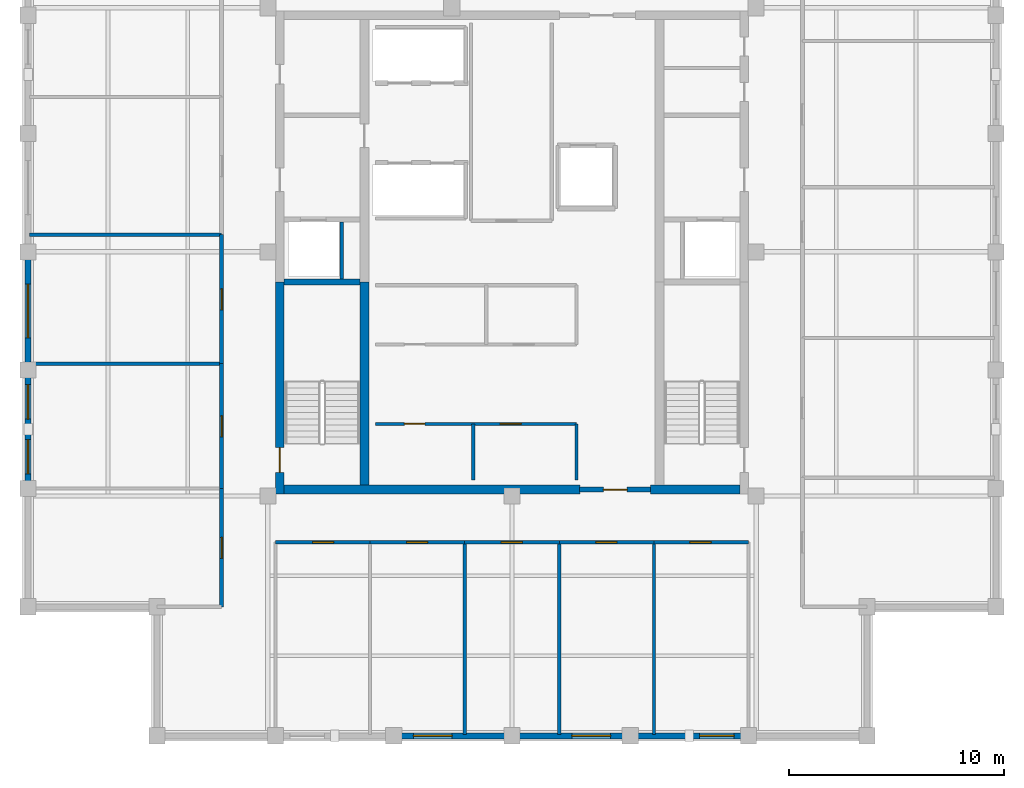
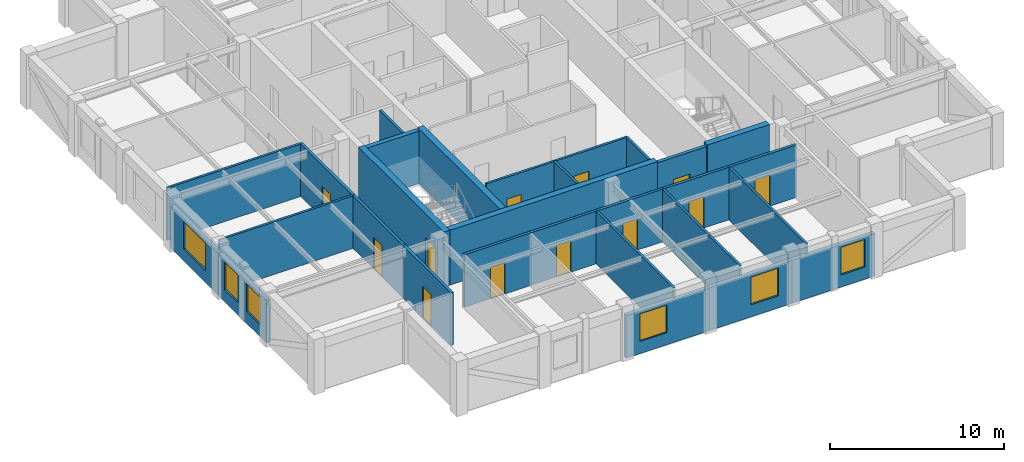
# One storey, part 2 of 6: 28 walls, 12 doors, 6 windows, 18 openings.
"""IFC4 building model written with IfcOpenShell, lengths in metres."""

from ifc_helpers import new_model, si_unit, direction, frame, frame_2d, origin, place, context, subcontext, project, spatial, rectangle, extrude, material, layer, layer_set, type_object, element, fill, save


model = new_model("IFC4")

# Units and contexts
model_context = context("Model", 3, precision=1e-05, world=origin(), true_north=direction((0.0, 1.0)))
body_context = subcontext(model_context, "Body", "Model", "MODEL_VIEW")
ifc_project = project(units=[si_unit("LENGTHUNIT", "METRE"), si_unit("AREAUNIT", "SQUARE_METRE"), si_unit("VOLUMEUNIT", "CUBIC_METRE"), si_unit("PLANEANGLEUNIT", "RADIAN"), si_unit("MASSUNIT", "GRAM", prefix="KILO")], contexts=[model_context])

# Site, building, storey
site_placement = place(None, origin())
site = spatial("IfcSite", under=ifc_project, at=site_placement, CompositionType="ELEMENT")
building_placement = place(site_placement, origin())
building = spatial("IfcBuilding", under=site, at=building_placement, Name="Nhamokura Convention Tower", CompositionType="ELEMENT")
storey_placement = place(building_placement, frame((0.0, 0.0, 289.10009765625)))
storey = spatial("IfcBuildingStorey", under=building, at=storey_placement, Name="L71", CompositionType="ELEMENT", Elevation=289.10009765625)

# Wall, opening, window
ifc_material_1 = material(Name="Bronze-pigmented precast concrete C45/55", Category="concrete")
ifc_layer_1 = layer(ifc_material_1, 0.280029296875)
ifc_layer_set_1 = layer_set([ifc_layer_1], Name="BronzePrecastSpandrel_280")
wall_type_1 = type_object("IfcWallType", Name="BronzePrecastSpandrel_280", PredefinedType="USERDEFINED", material=ifc_layer_set_1)
wall_1_placement = place(storey_placement, frame((32.0, 9.5, 0.0), z_axis=(0.0, 0.0, 1.0), x_axis=(-1.0, 0.0, 0.0)))
wall_1 = element("IfcWall", 1, at=wall_1_placement, inside=storey, type_object=wall_type_1, Name="L71 Masonry-Frame Wall SOUTH 2", ObjectType="SPANDREL_WALL", PredefinedType="USERDEFINED", context=body_context, shape_type="SweptSolid", body=[
    extrude(rectangle(XDim=5.5, YDim=0.280029296875, at=frame_2d((2.75, 0.0))), origin(), (0.0, 0.0, 1.0), 2.98486328125),
])
opening_1_placement = place(wall_1_placement, frame((2.78759765625, 0.0, 0.85009765625)))
opening_1 = element("IfcOpeningElement", 2, at=opening_1_placement, cuts=wall_1, Name="Opening W-10", PredefinedType="OPENING", context=body_context, shape_type="SweptSolid", body=[
    extrude(rectangle(XDim=1.800048828125, YDim=1.93505859375, at=frame_2d((0.89990234375, 0.967529296875))), frame((0.0, 0.14990234375, 0.0), z_axis=(0.0, -1.0, 0.0), x_axis=(1.0, 0.0, 0.0)), (0.0, 0.0, 1.0), 0.300048828125),
])
ifc_material_2 = material(Name="Solar-control bronze low-E double glass", Category="glass")
window_type_1 = type_object("IfcWindowType", Name="SummitWindow_Z4_1800", PartitioningType="SINGLE_PANEL", PredefinedType="WINDOW", material=ifc_material_2)
window_1_placement = place(opening_1_placement, origin())
window_1 = element("IfcWindow", 3, at=window_1_placement, inside=storey, type_object=window_type_1, Name="L71 Facade Window SOUTH 2-2", OverallHeight=1.93505859375, OverallWidth=1.800048828125, PartitioningType="SINGLE_PANEL", PredefinedType="WINDOW", context=body_context, shape_type="SweptSolid", body=[
    extrude(rectangle(XDim=1.800048828125, YDim=1.93505859375, at=frame_2d((0.89990234375, 0.967529296875))), frame((0.0, 0.030029296875, 0.0), z_axis=(0.0, -1.0, 0.0), x_axis=(1.0, 0.0, 0.0)), (0.0, 0.0, 1.0), 0.06005859375),
])
fill(opening_1, window_1)

wall_2_placement = place(storey_placement, frame((37.5, 9.5, 0.0), z_axis=(0.0, 0.0, 1.0), x_axis=(-1.0, 0.0, 0.0)))
wall_2 = element("IfcWall", 4, at=wall_2_placement, inside=storey, type_object=wall_type_1, Name="L71 Masonry-Frame Wall SOUTH 3", ObjectType="SPANDREL_WALL", PredefinedType="USERDEFINED", context=body_context, shape_type="SweptSolid", body=[
    extrude(rectangle(XDim=5.5, YDim=0.280029296875, at=frame_2d((2.75, 0.0))), origin(), (0.0, 0.0, 1.0), 2.98486328125),
])
opening_2_placement = place(wall_2_placement, frame((0.91259765625, 0.0, 0.85009765625)))
opening_2 = element("IfcOpeningElement", 5, at=opening_2_placement, cuts=wall_2, Name="Opening W-10", PredefinedType="OPENING", context=body_context, shape_type="SweptSolid", body=[
    extrude(rectangle(XDim=1.800048828125, YDim=1.93505859375, at=frame_2d((0.89990234375, 0.967529296875))), frame((0.0, 0.14990234375, 0.0), z_axis=(0.0, -1.0, 0.0), x_axis=(1.0, 0.0, 0.0)), (0.0, 0.0, 1.0), 0.300048828125),
])
window_2_placement = place(opening_2_placement, origin())
window_2 = element("IfcWindow", 6, at=window_2_placement, inside=storey, type_object=window_type_1, Name="L71 Facade Window SOUTH 3-1", OverallHeight=1.93505859375, OverallWidth=1.800048828125, PartitioningType="SINGLE_PANEL", PredefinedType="WINDOW", context=body_context, shape_type="SweptSolid", body=[
    extrude(rectangle(XDim=1.800048828125, YDim=1.93505859375, at=frame_2d((0.89990234375, 0.967529296875))), frame((0.0, 0.030029296875, 0.0), z_axis=(0.0, -1.0, 0.0), x_axis=(1.0, 0.0, 0.0)), (0.0, 0.0, 1.0), 0.06005859375),
])
fill(opening_2, window_2)

wall_3_placement = place(storey_placement, frame((43.0, 9.5, 0.0), z_axis=(0.0, 0.0, 1.0), x_axis=(-1.0, 0.0, 0.0)))
wall_3 = element("IfcWall", 7, at=wall_3_placement, inside=storey, type_object=wall_type_1, Name="L71 Masonry-Frame Wall SOUTH 4", ObjectType="SPANDREL_WALL", PredefinedType="USERDEFINED", context=body_context, shape_type="SweptSolid", body=[
    extrude(rectangle(XDim=5.5, YDim=0.280029296875, at=frame_2d((2.75, 0.0))), origin(), (0.0, 0.0, 1.0), 2.98486328125),
])
opening_3_placement = place(wall_3_placement, frame((0.675048828125, 0.0, 0.85009765625)))
opening_3 = element("IfcOpeningElement", 8, at=opening_3_placement, cuts=wall_3, Name="Opening W-11", PredefinedType="OPENING", context=body_context, shape_type="SweptSolid", body=[
    extrude(rectangle(XDim=1.60009765625, YDim=1.93505859375, at=frame_2d((0.800048828125, 0.967529296875))), frame((0.0, 0.14990234375, 0.0), z_axis=(0.0, -1.0, 0.0), x_axis=(1.0, 0.0, 0.0)), (0.0, 0.0, 1.0), 0.300048828125),
])
ifc_material_3 = material(Name="Solar-control bronze low-E double glass", Category="glass")
window_type_2 = type_object("IfcWindowType", Name="NotchCornerWindow_1600", PartitioningType="SINGLE_PANEL", PredefinedType="WINDOW", material=ifc_material_3)
window_3_placement = place(opening_3_placement, origin())
window_3 = element("IfcWindow", 9, at=window_3_placement, inside=storey, type_object=window_type_2, Name="L71 Facade Window SOUTH 4-1", OverallHeight=1.93505859375, OverallWidth=1.60009765625, PartitioningType="SINGLE_PANEL", PredefinedType="WINDOW", context=body_context, shape_type="SweptSolid", body=[
    extrude(rectangle(XDim=1.60009765625, YDim=1.93505859375, at=frame_2d((0.800048828125, 0.967529296875))), frame((0.0, 0.030029296875, 0.0), z_axis=(0.0, -1.0, 0.0), x_axis=(1.0, 0.0, 0.0)), (0.0, 0.0, 1.0), 0.06005859375),
])
fill(opening_3, window_3)

# Wall, openings, windows
wall_4_placement = place(storey_placement, frame((9.5, 21.0, 0.0), z_axis=(0.0, 0.0, 1.0), x_axis=(0.0, 1.0, 0.0)))
wall_4 = element("IfcWall", 10, at=wall_4_placement, inside=storey, type_object=wall_type_1, Name="L71 Masonry-Frame Wall WEST 1", ObjectType="SPANDREL_WALL", PredefinedType="USERDEFINED", context=body_context, shape_type="SweptSolid", body=[
    extrude(rectangle(XDim=5.5, YDim=0.280029296875, at=frame_2d((2.75, 0.0))), origin(), (0.0, 0.0, 1.0), 2.98486328125),
])
opening_4_placement = place(wall_4_placement, frame((0.675048828125, 0.0, 0.85009765625)))
opening_4 = element("IfcOpeningElement", 11, at=opening_4_placement, cuts=wall_4, Name="Opening W-11", PredefinedType="OPENING", context=body_context, shape_type="SweptSolid", body=[
    extrude(rectangle(XDim=1.60009765625, YDim=1.93505859375, at=frame_2d((0.800048828125, 0.967529296875))), frame((0.0, 0.14990234375, 0.0), z_axis=(0.0, -1.0, 0.0), x_axis=(1.0, 0.0, 0.0)), (0.0, 0.0, 1.0), 0.300048828125),
])
opening_5_placement = place(wall_4_placement, frame((3.22509765625, 0.0, 0.85009765625)))
opening_5 = element("IfcOpeningElement", 12, at=opening_5_placement, cuts=wall_4, Name="Opening W-11", PredefinedType="OPENING", context=body_context, shape_type="SweptSolid", body=[
    extrude(rectangle(XDim=1.60009765625, YDim=1.93505859375, at=frame_2d((0.800048828125, 0.967529296875))), frame((0.0, 0.14990234375, 0.0), z_axis=(0.0, -1.0, 0.0), x_axis=(1.0, 0.0, 0.0)), (0.0, 0.0, 1.0), 0.300048828125),
])
window_4_placement = place(opening_4_placement, origin())
window_4 = element("IfcWindow", 13, at=window_4_placement, inside=storey, type_object=window_type_2, Name="L71 Facade Window WEST 1-1", OverallHeight=1.93505859375, OverallWidth=1.60009765625, PartitioningType="SINGLE_PANEL", PredefinedType="WINDOW", context=body_context, shape_type="SweptSolid", body=[
    extrude(rectangle(XDim=1.60009765625, YDim=1.93505859375, at=frame_2d((0.800048828125, 0.967529296875))), frame((0.0, 0.030029296875, 0.0), z_axis=(0.0, -1.0, 0.0), x_axis=(1.0, 0.0, 0.0)), (0.0, 0.0, 1.0), 0.06005859375),
])
fill(opening_4, window_4)
window_5_placement = place(opening_5_placement, origin())
window_5 = element("IfcWindow", 14, at=window_5_placement, inside=storey, type_object=window_type_2, Name="L71 Facade Window WEST 1-2", OverallHeight=1.93505859375, OverallWidth=1.60009765625, PartitioningType="SINGLE_PANEL", PredefinedType="WINDOW", context=body_context, shape_type="SweptSolid", body=[
    extrude(rectangle(XDim=1.60009765625, YDim=1.93505859375, at=frame_2d((0.800048828125, 0.967529296875))), frame((0.0, 0.030029296875, 0.0), z_axis=(0.0, -1.0, 0.0), x_axis=(1.0, 0.0, 0.0)), (0.0, 0.0, 1.0), 0.06005859375),
])
fill(opening_5, window_5)

# Wall, opening, window
wall_5_placement = place(storey_placement, frame((9.5, 26.5, 0.0), z_axis=(0.0, 0.0, 1.0), x_axis=(0.0, 1.0, 0.0)))
wall_5 = element("IfcWall", 15, at=wall_5_placement, inside=storey, type_object=wall_type_1, Name="L71 Masonry-Frame Wall WEST 2", ObjectType="SPANDREL_WALL", PredefinedType="USERDEFINED", context=body_context, shape_type="SweptSolid", body=[
    extrude(rectangle(XDim=5.5, YDim=0.280029296875, at=frame_2d((2.75, 0.0))), origin(), (0.0, 0.0, 1.0), 2.98486328125),
])
opening_6_placement = place(wall_5_placement, frame((1.5, 0.0, 0.85009765625)))
opening_6 = element("IfcOpeningElement", 16, at=opening_6_placement, cuts=wall_5, Name="Opening W-09", PredefinedType="OPENING", context=body_context, shape_type="SweptSolid", body=[
    extrude(rectangle(XDim=2.5, YDim=1.93505859375, at=frame_2d((1.25, 0.967529296875))), frame((0.0, 0.14990234375, 0.0), z_axis=(0.0, -1.0, 0.0), x_axis=(1.0, 0.0, 0.0)), (0.0, 0.0, 1.0), 0.300048828125),
])
ifc_material_4 = material(Name="Solar-control bronze low-E double glass", Category="glass")
window_type_3 = type_object("IfcWindowType", Name="SummitWindow_Z4_2500", PartitioningType="DOUBLE_PANEL_VERTICAL", PredefinedType="WINDOW", material=ifc_material_4)
window_6_placement = place(opening_6_placement, origin())
window_6 = element("IfcWindow", 17, at=window_6_placement, inside=storey, type_object=window_type_3, Name="L71 Facade Window WEST 2", OverallHeight=1.93505859375, OverallWidth=2.5, PartitioningType="SINGLE_PANEL", PredefinedType="WINDOW", context=body_context, shape_type="SweptSolid", body=[
    extrude(rectangle(XDim=2.5, YDim=1.93505859375, at=frame_2d((1.25, 0.967529296875))), frame((0.0, 0.030029296875, 0.0), z_axis=(0.0, -1.0, 0.0), x_axis=(1.0, 0.0, 0.0)), (0.0, 0.0, 1.0), 0.06005859375),
])
fill(opening_6, window_6)

# Wall, opening, door
ifc_material_5 = material(Name="Concrete C50/60", Category="concrete")
ifc_layer_2 = layer(ifc_material_5, 0.39990234375)
ifc_layer_set_2 = layer_set([ifc_layer_2], Name="CoreShearWall_400")
wall_type_2 = type_object("IfcWallType", Name="CoreShearWall_400", PredefinedType="SHEAR", material=ifc_layer_set_2)
wall_6_placement = place(storey_placement, frame((21.2099609375, 20.75, 0.0), z_axis=(0.0, 0.0, 1.0), x_axis=(0.0, 1.0, 0.0)))
wall_6 = element("IfcWall", 18, at=wall_6_placement, inside=storey, type_object=wall_type_2, Name="L71 Core Shear Wall CW-WS", PredefinedType="SHEAR", context=body_context, shape_type="SweptSolid", body=[
    extrude(rectangle(XDim=9.85009765625, YDim=0.39990234375, at=frame_2d((4.925048828125, 0.0))), origin(), (0.0, 0.0, 1.0), 3.849853515625),
])
opening_7_placement = place(wall_6_placement, frame((1.0, 0.0, 0.0)))
opening_7 = element("IfcOpeningElement", 19, at=opening_7_placement, cuts=wall_6, Name="Opening D-04", PredefinedType="OPENING", context=body_context, shape_type="SweptSolid", body=[
    extrude(rectangle(XDim=1.14990234375, YDim=2.14990234375, at=frame_2d((0.574951171875, 1.074951171875))), frame((0.0, 0.2099609375, 0.0), z_axis=(0.0, -1.0, 0.0), x_axis=(1.0, 0.0, 0.0)), (0.0, 0.0, 1.0), 0.419921875),
])
ifc_material_6 = material(Name="Fire-rated steel door", Category="steel")
door_type_1 = type_object("IfcDoorType", Name="StairSmokeDoor_1150", OperationType="NOTDEFINED", PredefinedType="DOOR", material=ifc_material_6)
door_1_placement = place(opening_7_placement, origin())
door_1 = element("IfcDoor", 20, at=door_1_placement, inside=storey, type_object=door_type_1, Name="L71 Core Door INT-L71-D-ST01", OperationType="SINGLE_SWING_LEFT", OverallHeight=2.14990234375, OverallWidth=1.14990234375, PredefinedType="DOOR", context=body_context, shape_type="SweptSolid", body=[
    extrude(rectangle(XDim=1.14990234375, YDim=2.14990234375, at=frame_2d((0.574951171875, 1.074951171875))), frame((0.0, 0.02490234375, 0.0), z_axis=(0.0, -1.0, 0.0), x_axis=(1.0, 0.0, 0.0)), (0.0, 0.0, 1.0), 0.050048828125),
])
fill(opening_7, door_1)

# Walls
wall_7_placement = place(storey_placement, frame((21.409912109375, 20.949951171875, 0.0), z_axis=(0.0, 0.0, 1.0), x_axis=(1.0, 0.0, 0.0)))
element("IfcWall", 21, at=wall_7_placement, inside=storey, type_object=wall_type_2, Name="L71 Core Shear Wall CW-S1", PredefinedType="SHEAR", context=body_context, shape_type="SweptSolid", body=[
    extrude(rectangle(XDim=13.739990234375, YDim=0.39990234375, at=frame_2d((6.8701171875, 0.0))), origin(), (0.0, 0.0, 1.0), 3.849853515625),
])
wall_8_placement = place(storey_placement, frame((38.449951171875, 20.949951171875, 0.0), z_axis=(0.0, 0.0, 1.0), x_axis=(1.0, 0.0, 0.0)))
element("IfcWall", 22, at=wall_8_placement, inside=storey, type_object=wall_type_2, Name="L71 Core Shear Wall CW-S2", PredefinedType="SHEAR", context=body_context, shape_type="SweptSolid", body=[
    extrude(rectangle(XDim=4.14013671875, YDim=0.39990234375, at=frame_2d((2.070068359375, 0.0))), origin(), (0.0, 0.0, 1.0), 3.849853515625),
])
wall_9_placement = place(storey_placement, frame((25.139892578125, 21.14990234375, 0.0), z_axis=(0.0, 0.0, 1.0), x_axis=(0.0, 1.0, 0.0)))
element("IfcWall", 23, at=wall_9_placement, inside=storey, type_object=wall_type_2, Name="L71 Core Shear Wall CW-IWS", PredefinedType="SHEAR", context=body_context, shape_type="SweptSolid", body=[
    extrude(rectangle(XDim=9.4501953125, YDim=0.39990234375, at=frame_2d((4.72509765625, 0.0))), origin(), (0.0, 0.0, 1.0), 3.849853515625),
])

# Wall, opening, door
ifc_material_7 = material(Name="Fire-rated gypsum and masonry partition", Category="masonry")
ifc_layer_3 = layer(ifc_material_7, 0.179931640625)
ifc_layer_set_3 = layer_set([ifc_layer_3], Name="CorridorRatedWall_180")
wall_type_3 = type_object("IfcWallType", Name="CorridorRatedWall_180", PredefinedType="STANDARD", material=ifc_layer_set_3)
wall_10_placement = place(storey_placement, frame((21.0, 18.5, 0.0), z_axis=(0.0, 0.0, 1.0), x_axis=(1.0, 0.0, 0.0)))
wall_10 = element("IfcWall", 24, at=wall_10_placement, inside=storey, type_object=wall_type_3, Name="L71 Wall INT-L71-CW-S00", PredefinedType="STANDARD", context=body_context, shape_type="SweptSolid", body=[
    extrude(rectangle(XDim=4.39990234375, YDim=0.179931640625, at=frame_2d((2.199951171875, 0.0))), origin(), (0.0, 0.0, 1.0), 3.684814453125),
])
opening_8_placement = place(wall_10_placement, frame((1.72509765625, 0.0, 0.0)))
opening_8 = element("IfcOpeningElement", 25, at=opening_8_placement, cuts=wall_10, Name="Opening D-08", PredefinedType="OPENING", context=body_context, shape_type="SweptSolid", body=[
    extrude(rectangle(XDim=0.97998046875, YDim=2.199951171875, at=frame_2d((0.489990234375, 1.10009765625))), frame((0.0, 0.099853515625, 0.0), z_axis=(0.0, -1.0, 0.0), x_axis=(1.0, 0.0, 0.0)), (0.0, 0.0, 1.0), 0.199951171875),
])
ifc_material_8 = material(Name="Solid oak hardwood", Category="wood")
door_type_2 = type_object("IfcDoorType", Name="OfficeEntryDoor_980", OperationType="NOTDEFINED", PredefinedType="DOOR", material=ifc_material_8)
door_2_placement = place(opening_8_placement, origin())
door_2 = element("IfcDoor", 26, at=door_2_placement, inside=storey, type_object=door_type_2, Name="L71 Meeting Room S01 Door", OperationType="SINGLE_SWING_LEFT", OverallHeight=2.199951171875, OverallWidth=0.97998046875, PredefinedType="DOOR", context=body_context, shape_type="SweptSolid", body=[
    extrude(rectangle(XDim=0.97998046875, YDim=2.199951171875, at=frame_2d((0.489990234375, 1.10009765625))), frame((0.0, 0.02490234375, 0.0), z_axis=(0.0, -1.0, 0.0), x_axis=(1.0, 0.0, 0.0)), (0.0, 0.0, 1.0), 0.050048828125),
])
fill(opening_8, door_2)

wall_11_placement = place(storey_placement, frame((25.39990234375, 18.5, 0.0), z_axis=(0.0, 0.0, 1.0), x_axis=(1.0, 0.0, 0.0)))
wall_11 = element("IfcWall", 27, at=wall_11_placement, inside=storey, type_object=wall_type_3, Name="L71 Wall INT-L71-CW-S01", PredefinedType="STANDARD", context=body_context, shape_type="SweptSolid", body=[
    extrude(rectangle(XDim=4.400146484375, YDim=0.179931640625, at=frame_2d((2.2001953125, 0.0))), origin(), (0.0, 0.0, 1.0), 3.684814453125),
])
opening_9_placement = place(wall_11_placement, frame((1.699951171875, 0.0, 0.0)))
opening_9 = element("IfcOpeningElement", 28, at=opening_9_placement, cuts=wall_11, Name="Opening D-08", PredefinedType="OPENING", context=body_context, shape_type="SweptSolid", body=[
    extrude(rectangle(XDim=0.97998046875, YDim=2.199951171875, at=frame_2d((0.489990234375, 1.10009765625))), frame((0.0, 0.099853515625, 0.0), z_axis=(0.0, -1.0, 0.0), x_axis=(1.0, 0.0, 0.0)), (0.0, 0.0, 1.0), 0.199951171875),
])
door_3_placement = place(opening_9_placement, origin())
door_3 = element("IfcDoor", 29, at=door_3_placement, inside=storey, type_object=door_type_2, Name="L71 Private Office S02 Door", OperationType="SINGLE_SWING_RIGHT", OverallHeight=2.199951171875, OverallWidth=0.97998046875, PredefinedType="DOOR", context=body_context, shape_type="SweptSolid", body=[
    extrude(rectangle(XDim=0.97998046875, YDim=2.199951171875, at=frame_2d((0.489990234375, 1.10009765625))), frame((0.0, 0.02490234375, 0.0), z_axis=(0.0, -1.0, 0.0), x_axis=(1.0, 0.0, 0.0)), (0.0, 0.0, 1.0), 0.050048828125),
])
fill(opening_9, door_3)

wall_12_placement = place(storey_placement, frame((29.800048828125, 18.5, 0.0), z_axis=(0.0, 0.0, 1.0), x_axis=(1.0, 0.0, 0.0)))
wall_12 = element("IfcWall", 30, at=wall_12_placement, inside=storey, type_object=wall_type_3, Name="L71 Wall INT-L71-CW-S02", PredefinedType="STANDARD", context=body_context, shape_type="SweptSolid", body=[
    extrude(rectangle(XDim=4.39990234375, YDim=0.179931640625, at=frame_2d((2.199951171875, 0.0))), origin(), (0.0, 0.0, 1.0), 3.684814453125),
])
opening_10_placement = place(wall_12_placement, frame((1.699951171875, 0.0, 0.0)))
opening_10 = element("IfcOpeningElement", 31, at=opening_10_placement, cuts=wall_12, Name="Opening D-08", PredefinedType="OPENING", context=body_context, shape_type="SweptSolid", body=[
    extrude(rectangle(XDim=0.97998046875, YDim=2.199951171875, at=frame_2d((0.489990234375, 1.10009765625))), frame((0.0, 0.099853515625, 0.0), z_axis=(0.0, -1.0, 0.0), x_axis=(1.0, 0.0, 0.0)), (0.0, 0.0, 1.0), 0.199951171875),
])
door_4_placement = place(opening_10_placement, origin())
door_4 = element("IfcDoor", 32, at=door_4_placement, inside=storey, type_object=door_type_2, Name="L71 Boardroom S03 Door", OperationType="SINGLE_SWING_LEFT", OverallHeight=2.199951171875, OverallWidth=0.97998046875, PredefinedType="DOOR", context=body_context, shape_type="SweptSolid", body=[
    extrude(rectangle(XDim=0.97998046875, YDim=2.199951171875, at=frame_2d((0.489990234375, 1.10009765625))), frame((0.0, 0.02490234375, 0.0), z_axis=(0.0, -1.0, 0.0), x_axis=(1.0, 0.0, 0.0)), (0.0, 0.0, 1.0), 0.050048828125),
])
fill(opening_10, door_4)

wall_13_placement = place(storey_placement, frame((34.199951171875, 18.5, 0.0), z_axis=(0.0, 0.0, 1.0), x_axis=(1.0, 0.0, 0.0)))
wall_13 = element("IfcWall", 33, at=wall_13_placement, inside=storey, type_object=wall_type_3, Name="L71 Wall INT-L71-CW-S03", PredefinedType="STANDARD", context=body_context, shape_type="SweptSolid", body=[
    extrude(rectangle(XDim=4.400146484375, YDim=0.179931640625, at=frame_2d((2.2001953125, 0.0))), origin(), (0.0, 0.0, 1.0), 3.684814453125),
])
opening_11_placement = place(wall_13_placement, frame((1.699951171875, 0.0, 0.0)))
opening_11 = element("IfcOpeningElement", 34, at=opening_11_placement, cuts=wall_13, Name="Opening D-08", PredefinedType="OPENING", context=body_context, shape_type="SweptSolid", body=[
    extrude(rectangle(XDim=0.97998046875, YDim=2.199951171875, at=frame_2d((0.489990234375, 1.10009765625))), frame((0.0, 0.099853515625, 0.0), z_axis=(0.0, -1.0, 0.0), x_axis=(1.0, 0.0, 0.0)), (0.0, 0.0, 1.0), 0.199951171875),
])
door_5_placement = place(opening_11_placement, origin())
door_5 = element("IfcDoor", 35, at=door_5_placement, inside=storey, type_object=door_type_2, Name="L71 Meeting Room S04 Door", OperationType="SINGLE_SWING_RIGHT", OverallHeight=2.199951171875, OverallWidth=0.97998046875, PredefinedType="DOOR", context=body_context, shape_type="SweptSolid", body=[
    extrude(rectangle(XDim=0.97998046875, YDim=2.199951171875, at=frame_2d((0.489990234375, 1.10009765625))), frame((0.0, 0.02490234375, 0.0), z_axis=(0.0, -1.0, 0.0), x_axis=(1.0, 0.0, 0.0)), (0.0, 0.0, 1.0), 0.050048828125),
])
fill(opening_11, door_5)

wall_14_placement = place(storey_placement, frame((38.60009765625, 18.5, 0.0), z_axis=(0.0, 0.0, 1.0), x_axis=(1.0, 0.0, 0.0)))
wall_14 = element("IfcWall", 36, at=wall_14_placement, inside=storey, type_object=wall_type_3, Name="L71 Wall INT-L71-CW-S04", PredefinedType="STANDARD", context=body_context, shape_type="SweptSolid", body=[
    extrude(rectangle(XDim=4.39990234375, YDim=0.179931640625, at=frame_2d((2.199951171875, 0.0))), origin(), (0.0, 0.0, 1.0), 3.684814453125),
])
opening_12_placement = place(wall_14_placement, frame((1.675048828125, 0.0, 0.0)))
opening_12 = element("IfcOpeningElement", 37, at=opening_12_placement, cuts=wall_14, Name="Opening D-08", PredefinedType="OPENING", context=body_context, shape_type="SweptSolid", body=[
    extrude(rectangle(XDim=0.97998046875, YDim=2.199951171875, at=frame_2d((0.489990234375, 1.10009765625))), frame((0.0, 0.099853515625, 0.0), z_axis=(0.0, -1.0, 0.0), x_axis=(1.0, 0.0, 0.0)), (0.0, 0.0, 1.0), 0.199951171875),
])
door_6_placement = place(opening_12_placement, origin())
door_6 = element("IfcDoor", 38, at=door_6_placement, inside=storey, type_object=door_type_2, Name="L71 Private Office S05 Door", OperationType="SINGLE_SWING_LEFT", OverallHeight=2.199951171875, OverallWidth=0.97998046875, PredefinedType="DOOR", context=body_context, shape_type="SweptSolid", body=[
    extrude(rectangle(XDim=0.97998046875, YDim=2.199951171875, at=frame_2d((0.489990234375, 1.10009765625))), frame((0.0, 0.02490234375, 0.0), z_axis=(0.0, -1.0, 0.0), x_axis=(1.0, 0.0, 0.0)), (0.0, 0.0, 1.0), 0.050048828125),
])
fill(opening_12, door_6)

wall_15_placement = place(storey_placement, frame((18.5, 15.5, 0.0), z_axis=(0.0, 0.0, 1.0), x_axis=(0.0, 1.0, 0.0)))
wall_15 = element("IfcWall", 39, at=wall_15_placement, inside=storey, type_object=wall_type_3, Name="L71 Wall INT-L71-CW-W00", PredefinedType="STANDARD", context=body_context, shape_type="SweptSolid", body=[
    extrude(rectangle(XDim=5.5, YDim=0.179931640625, at=frame_2d((2.75, 0.0))), origin(), (0.0, 0.0, 1.0), 3.684814453125),
])
opening_13_placement = place(wall_15_placement, frame((2.25, 0.0, 0.0)))
opening_13 = element("IfcOpeningElement", 40, at=opening_13_placement, cuts=wall_15, Name="Opening D-08", PredefinedType="OPENING", context=body_context, shape_type="SweptSolid", body=[
    extrude(rectangle(XDim=0.97998046875, YDim=2.199951171875, at=frame_2d((0.489990234375, 1.10009765625))), frame((0.0, 0.099853515625, 0.0), z_axis=(0.0, -1.0, 0.0), x_axis=(1.0, 0.0, 0.0)), (0.0, 0.0, 1.0), 0.199951171875),
])
door_7_placement = place(opening_13_placement, origin())
door_7 = element("IfcDoor", 41, at=door_7_placement, inside=storey, type_object=door_type_2, Name="L71 Meeting Room W01 Door", OperationType="SINGLE_SWING_LEFT", OverallHeight=2.199951171875, OverallWidth=0.97998046875, PredefinedType="DOOR", context=body_context, shape_type="SweptSolid", body=[
    extrude(rectangle(XDim=0.97998046875, YDim=2.199951171875, at=frame_2d((0.489990234375, 1.10009765625))), frame((0.0, 0.02490234375, 0.0), z_axis=(0.0, -1.0, 0.0), x_axis=(1.0, 0.0, 0.0)), (0.0, 0.0, 1.0), 0.050048828125),
])
fill(opening_13, door_7)

wall_16_placement = place(storey_placement, frame((18.5, 21.0, 0.0), z_axis=(0.0, 0.0, 1.0), x_axis=(0.0, 1.0, 0.0)))
wall_16 = element("IfcWall", 42, at=wall_16_placement, inside=storey, type_object=wall_type_3, Name="L71 Wall INT-L71-CW-W01", PredefinedType="STANDARD", context=body_context, shape_type="SweptSolid", body=[
    extrude(rectangle(XDim=5.800048828125, YDim=0.179931640625, at=frame_2d((2.89990234375, 0.0))), origin(), (0.0, 0.0, 1.0), 3.684814453125),
])
opening_14_placement = place(wall_16_placement, frame((2.39990234375, 0.0, 0.0)))
opening_14 = element("IfcOpeningElement", 43, at=opening_14_placement, cuts=wall_16, Name="Opening D-08", PredefinedType="OPENING", context=body_context, shape_type="SweptSolid", body=[
    extrude(rectangle(XDim=0.97998046875, YDim=2.199951171875, at=frame_2d((0.489990234375, 1.10009765625))), frame((0.0, 0.099853515625, 0.0), z_axis=(0.0, -1.0, 0.0), x_axis=(1.0, 0.0, 0.0)), (0.0, 0.0, 1.0), 0.199951171875),
])
door_8_placement = place(opening_14_placement, origin())
door_8 = element("IfcDoor", 44, at=door_8_placement, inside=storey, type_object=door_type_2, Name="L71 Private Office W02 Door", OperationType="SINGLE_SWING_RIGHT", OverallHeight=2.199951171875, OverallWidth=0.97998046875, PredefinedType="DOOR", context=body_context, shape_type="SweptSolid", body=[
    extrude(rectangle(XDim=0.97998046875, YDim=2.199951171875, at=frame_2d((0.489990234375, 1.10009765625))), frame((0.0, 0.02490234375, 0.0), z_axis=(0.0, -1.0, 0.0), x_axis=(1.0, 0.0, 0.0)), (0.0, 0.0, 1.0), 0.050048828125),
])
fill(opening_14, door_8)

wall_17_placement = place(storey_placement, frame((18.5, 26.800048828125, 0.0), z_axis=(0.0, 0.0, 1.0), x_axis=(0.0, 1.0, 0.0)))
wall_17 = element("IfcWall", 45, at=wall_17_placement, inside=storey, type_object=wall_type_3, Name="L71 Wall INT-L71-CW-W02", PredefinedType="STANDARD", context=body_context, shape_type="SweptSolid", body=[
    extrude(rectangle(XDim=6.0, YDim=0.179931640625, at=frame_2d((3.0, 0.0))), origin(), (0.0, 0.0, 1.0), 3.684814453125),
])
opening_15_placement = place(wall_17_placement, frame((2.5, 0.0, 0.0)))
opening_15 = element("IfcOpeningElement", 46, at=opening_15_placement, cuts=wall_17, Name="Opening D-08", PredefinedType="OPENING", context=body_context, shape_type="SweptSolid", body=[
    extrude(rectangle(XDim=0.97998046875, YDim=2.199951171875, at=frame_2d((0.489990234375, 1.10009765625))), frame((0.0, 0.099853515625, 0.0), z_axis=(0.0, -1.0, 0.0), x_axis=(1.0, 0.0, 0.0)), (0.0, 0.0, 1.0), 0.199951171875),
])
door_9_placement = place(opening_15_placement, origin())
door_9 = element("IfcDoor", 47, at=door_9_placement, inside=storey, type_object=door_type_2, Name="L71 Private Office W03 Door", OperationType="SINGLE_SWING_LEFT", OverallHeight=2.199951171875, OverallWidth=0.97998046875, PredefinedType="DOOR", context=body_context, shape_type="SweptSolid", body=[
    extrude(rectangle(XDim=0.97998046875, YDim=2.199951171875, at=frame_2d((0.489990234375, 1.10009765625))), frame((0.0, 0.02490234375, 0.0), z_axis=(0.0, -1.0, 0.0), x_axis=(1.0, 0.0, 0.0)), (0.0, 0.0, 1.0), 0.050048828125),
])
fill(opening_15, door_9)

ifc_material_9 = material(Name="Autoclaved concrete blockwork", Category="masonry")
ifc_layer_4 = layer(ifc_material_9, 0.219970703125)
ifc_layer_set_4 = layer_set([ifc_layer_4], Name="FireLobbyWall_220")
wall_type_4 = type_object("IfcWallType", Name="FireLobbyWall_220", PredefinedType="STANDARD", material=ifc_layer_set_4)
wall_18_placement = place(storey_placement, frame((35.14990234375, 20.949951171875, 0.0), z_axis=(0.0, 0.0, 1.0), x_axis=(1.0, 0.0, 0.0)))
wall_18 = element("IfcWall", 48, at=wall_18_placement, inside=storey, type_object=wall_type_4, Name="L71 Wall INT-L71-SPORT-S", PredefinedType="STANDARD", context=body_context, shape_type="SweptSolid", body=[
    extrude(rectangle(XDim=3.300048828125, YDim=0.219970703125, at=frame_2d((1.64990234375, 0.0))), origin(), (0.0, 0.0, 1.0), 3.684814453125),
])
opening_16_placement = place(wall_18_placement, frame((1.10009765625, 0.0, 0.0)))
opening_16 = element("IfcOpeningElement", 49, at=opening_16_placement, cuts=wall_18, Name="Opening D-05", PredefinedType="OPENING", context=body_context, shape_type="SweptSolid", body=[
    extrude(rectangle(XDim=1.10009765625, YDim=2.14990234375, at=frame_2d((0.550048828125, 1.074951171875))), frame((0.0, 0.119873046875, 0.0), z_axis=(0.0, -1.0, 0.0), x_axis=(1.0, 0.0, 0.0)), (0.0, 0.0, 1.0), 0.239990234375),
])
ifc_material_10 = material(Name="Fire-rated steel door", Category="steel")
door_type_3 = type_object("IfcDoorType", Name="FireLobbyDoor_1100", OperationType="NOTDEFINED", PredefinedType="DOOR", material=ifc_material_10)
door_10_placement = place(opening_16_placement, origin())
door_10 = element("IfcDoor", 50, at=door_10_placement, inside=storey, type_object=door_type_3, Name="L71 South Core Lobby Portal Door", OperationType="SINGLE_SWING_LEFT", OverallHeight=2.14990234375, OverallWidth=1.10009765625, PredefinedType="DOOR", context=body_context, shape_type="SweptSolid", body=[
    extrude(rectangle(XDim=1.10009765625, YDim=2.14990234375, at=frame_2d((0.550048828125, 1.074951171875))), frame((0.0, 0.02490234375, 0.0), z_axis=(0.0, -1.0, 0.0), x_axis=(1.0, 0.0, 0.0)), (0.0, 0.0, 1.0), 0.050048828125),
])
fill(opening_16, door_10)

# Wall
ifc_material_11 = material(Name="Acoustic gypsum stud partition", Category="masonry")
ifc_layer_5 = layer(ifc_material_11, 0.14990234375)
ifc_layer_set_5 = layer_set([ifc_layer_5], Name="InteriorPartition_150")
wall_type_5 = type_object("IfcWallType", Name="InteriorPartition_150", PredefinedType="STANDARD", material=ifc_layer_set_5)
wall_19_placement = place(storey_placement, frame((24.080078125, 30.75, 0.0), z_axis=(0.0, 0.0, 1.0), x_axis=(0.0, 1.0, 0.0)))
element("IfcWall", 51, at=wall_19_placement, inside=storey, type_object=wall_type_5, Name="L71 Wall INT-L71-FF1-E", PredefinedType="STANDARD", context=body_context, shape_type="SweptSolid", body=[
    extrude(rectangle(XDim=2.64990234375, YDim=0.14990234375, at=frame_2d((1.324951171875, 0.0))), origin(), (0.0, 0.0, 1.0), 3.684814453125),
])

# Wall, openings, doors
wall_20_placement = place(storey_placement, frame((25.64990234375, 24.0, 0.0), z_axis=(0.0, 0.0, 1.0), x_axis=(1.0, 0.0, 0.0)))
wall_20 = element("IfcWall", 52, at=wall_20_placement, inside=storey, type_object=wall_type_5, Name="L71 Wall INT-L71-B1R-N", PredefinedType="STANDARD", context=body_context, shape_type="SweptSolid", body=[
    extrude(rectangle(XDim=9.35009765625, YDim=0.14990234375, at=frame_2d((4.675048828125, 0.0))), origin(), (0.0, 0.0, 1.0), 3.684814453125),
])
opening_17_placement = place(wall_20_placement, frame((1.35009765625, 0.0, 0.0)))
opening_17 = element("IfcOpeningElement", 53, at=opening_17_placement, cuts=wall_20, Name="Opening D-09", PredefinedType="OPENING", context=body_context, shape_type="SweptSolid", body=[
    extrude(rectangle(XDim=0.949951171875, YDim=2.14990234375, at=frame_2d((0.47509765625, 1.074951171875))), frame((0.0, 0.0849609375, 0.0), z_axis=(0.0, -1.0, 0.0), x_axis=(1.0, 0.0, 0.0)), (0.0, 0.0, 1.0), 0.169921875),
])
opening_18_placement = place(wall_20_placement, frame((5.800048828125, 0.0, 0.0)))
opening_18 = element("IfcOpeningElement", 54, at=opening_18_placement, cuts=wall_20, Name="Opening D-08", PredefinedType="OPENING", context=body_context, shape_type="SweptSolid", body=[
    extrude(rectangle(XDim=0.97998046875, YDim=2.199951171875, at=frame_2d((0.489990234375, 1.10009765625))), frame((0.0, 0.0849609375, 0.0), z_axis=(0.0, -1.0, 0.0), x_axis=(1.0, 0.0, 0.0)), (0.0, 0.0, 1.0), 0.169921875),
])
ifc_material_12 = material(Name="Solid oak hardwood", Category="wood")
door_type_4 = type_object("IfcDoorType", Name="MeetingRoomDoor_950", OperationType="NOTDEFINED", PredefinedType="DOOR", material=ifc_material_12)
door_11_placement = place(opening_17_placement, origin())
door_11 = element("IfcDoor", 55, at=door_11_placement, inside=storey, type_object=door_type_4, Name="L71 Reclaimed Briefing Room Door", OperationType="SINGLE_SWING_RIGHT", OverallHeight=2.14990234375, OverallWidth=0.949951171875, PredefinedType="DOOR", context=body_context, shape_type="SweptSolid", body=[
    extrude(rectangle(XDim=0.949951171875, YDim=2.14990234375, at=frame_2d((0.47509765625, 1.074951171875))), frame((0.0, 0.02490234375, 0.0), z_axis=(0.0, -1.0, 0.0), x_axis=(1.0, 0.0, 0.0)), (0.0, 0.0, 1.0), 0.050048828125),
])
fill(opening_17, door_11)
door_12_placement = place(opening_18_placement, origin())
door_12 = element("IfcDoor", 56, at=door_12_placement, inside=storey, type_object=door_type_2, Name="L71 Reclaimed Hub Door", OperationType="SINGLE_SWING_LEFT", OverallHeight=2.199951171875, OverallWidth=0.97998046875, PredefinedType="DOOR", context=body_context, shape_type="SweptSolid", body=[
    extrude(rectangle(XDim=0.97998046875, YDim=2.199951171875, at=frame_2d((0.489990234375, 1.10009765625))), frame((0.0, 0.02490234375, 0.0), z_axis=(0.0, -1.0, 0.0), x_axis=(1.0, 0.0, 0.0)), (0.0, 0.0, 1.0), 0.050048828125),
])
fill(opening_18, door_12)

# Walls
for number, where, z_axis, x_axis, name in (
    (57, (30.199951171875, 21.39990234375, 0.0), (0.0, 0.0, 1.0), (0.0, 1.0, 0.0), "L71 Wall INT-L71-B1R-M"),
    (58, (35.0, 21.39990234375, 0.0), (0.0, 0.0, 1.0), (0.0, 1.0, 0.0), "L71 Wall INT-L71-B1R-E"),
):
    element("IfcWall", number, at=place(storey_placement, frame(where, z_axis=z_axis, x_axis=x_axis)), inside=storey, type_object=wall_type_5, Name=name, PredefinedType="STANDARD", context=body_context, shape_type="SweptSolid", body=[
        extrude(rectangle(XDim=2.60009765625, YDim=0.14990234375, at=frame_2d((1.300048828125, 0.0))), origin(), (0.0, 0.0, 1.0), 3.684814453125),
    ])
for number, where, z_axis, x_axis, name in (
    (59, (29.800048828125, 9.56005859375, 0.0), (0.0, 0.0, 1.0), (0.0, 1.0, 0.0), "L71 Wall INT-L71-RW-S02"),
    (60, (34.199951171875, 9.56005859375, 0.0), (0.0, 0.0, 1.0), (0.0, 1.0, 0.0), "L71 Wall INT-L71-RW-S03"),
    (61, (38.60009765625, 9.56005859375, 0.0), (0.0, 0.0, 1.0), (0.0, 1.0, 0.0), "L71 Wall INT-L71-RW-S04"),
    (62, (9.56005859375, 26.800048828125, 0.0), (0.0, 0.0, 1.0), (1.0, 0.0, 0.0), "L71 Wall INT-L71-RW-W02"),
    (63, (9.56005859375, 32.800048828125, 0.0), (0.0, 0.0, 1.0), (1.0, 0.0, 0.0), "L71 Wall INT-L71-RW-W03"),
):
    element("IfcWall", number, at=place(storey_placement, frame(where, z_axis=z_axis, x_axis=x_axis)), inside=storey, type_object=wall_type_5, Name=name, PredefinedType="STANDARD", context=body_context, shape_type="SweptSolid", body=[
        extrude(rectangle(XDim=8.93994140625, YDim=0.14990234375, at=frame_2d((4.469970703125, 0.0))), origin(), (0.0, 0.0, 1.0), 3.684814453125),
    ])
ifc_material_13 = material(Name="Concrete C50/60", Category="concrete")
ifc_layer_6 = layer(ifc_material_13, 0.300048828125)
ifc_layer_set_6 = layer_set([ifc_layer_6], Name="ShaftEnclosureWall_300")
wall_type_6 = type_object("IfcWallType", Name="ShaftEnclosureWall_300", PredefinedType="SHEAR", material=ifc_layer_set_6)
wall_21_placement = place(storey_placement, frame((21.409912109375, 30.60009765625, 0.0), z_axis=(0.0, 0.0, 1.0), x_axis=(1.0, 0.0, 0.0)))
element("IfcWall", 64, at=wall_21_placement, inside=storey, type_object=wall_type_6, Name="L71 Wall INT-L71-ST01-N", PredefinedType="SHEAR", context=body_context, shape_type="SweptSolid", body=[
    extrude(rectangle(XDim=3.530029296875, YDim=0.300048828125, at=frame_2d((1.76513671875, 0.0))), origin(), (0.0, 0.0, 1.0), 3.684814453125),
])

save(model, "model.ifc")
